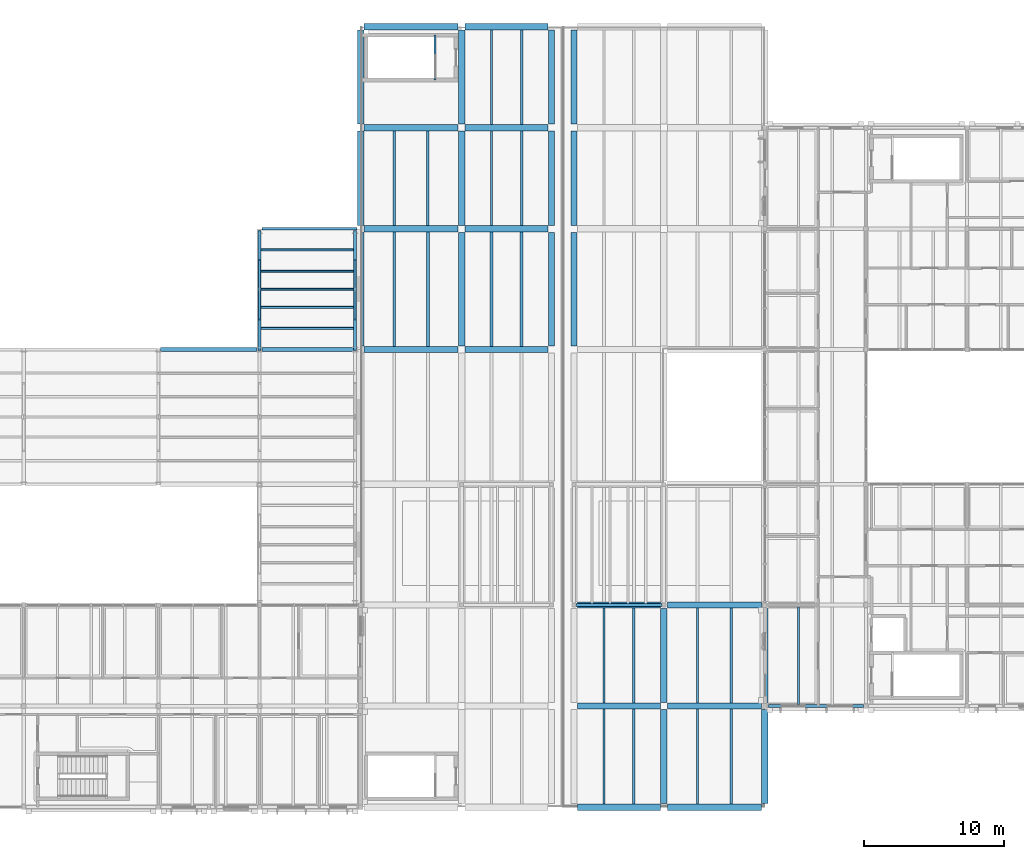
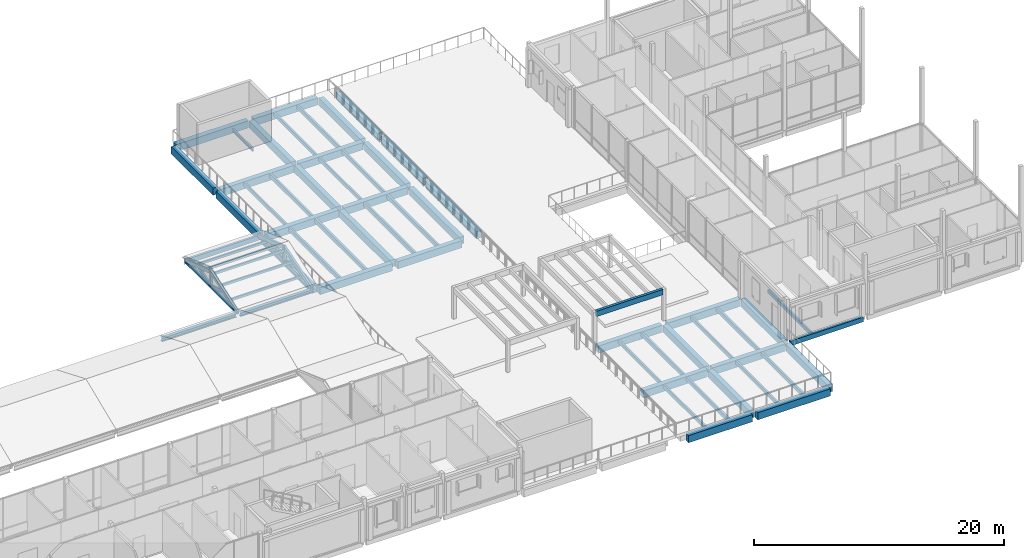
# One storey, part 47 of 115: 55 beams, 17 members.
"""IFC4 building model written with IfcOpenShell, lengths in metres."""

from ifc_helpers import new_model, si_unit, direction, frame, origin, origin_2d, place, context, subcontext, project, spatial, rectangle, i_section, extrude, material, material_profile, profile_set, type_object, element, save


model = new_model("IFC4")

# Units and contexts
model_context = context("Model", 3, precision=1e-05, world=origin(), true_north=direction((0.0, 1.0)))
body_context = subcontext(model_context, "Body", "Model", "MODEL_VIEW")
ifc_project = project(units=[si_unit("LENGTHUNIT", "METRE"), si_unit("AREAUNIT", "SQUARE_METRE"), si_unit("VOLUMEUNIT", "CUBIC_METRE"), si_unit("PLANEANGLEUNIT", "RADIAN"), si_unit("MASSUNIT", "GRAM", prefix="KILO")], contexts=[model_context])

# Site, building, storey
site_placement = place(None, origin())
site = spatial("IfcSite", under=ifc_project, at=site_placement, CompositionType="ELEMENT")
building_placement = place(site_placement, origin())
building = spatial("IfcBuilding", under=site, at=building_placement, Name="Hawrajan Terrace Health Centre", CompositionType="ELEMENT")
storey_placement = place(building_placement, frame((0.0, 0.0, 9.0)))
storey = spatial("IfcBuildingStorey", under=building, at=storey_placement, Name="L02", CompositionType="ELEMENT", Elevation=9.0)

# Beams
ifc_material_1 = material(Name="Glulam GL32h", Category="wood")
ifc_material_profile_1 = material_profile(ifc_material_1, rectangle(XDim=0.239990234375, YDim=0.52001953125, at=origin_2d()), Name="GL BM 240x520")
ifc_profile_set_1 = profile_set([ifc_material_profile_1], Name="Glulam GL32h")
beam_type_1 = type_object("IfcBeamType", Name="GlulamGirder_240x520", PredefinedType="BEAM", material=ifc_profile_set_1)
beam_1_placement = place(storey_placement, frame((130.340087890625, 18.60009765625, 2.840087890625), z_axis=(1.0, 0.0, 0.0), x_axis=(0.0, 1.0, 0.0)))
element("IfcBeam", 1, at=beam_1_placement, inside=storey, type_object=beam_type_1, Name="Therapy garden pergola girder EAST-S", PredefinedType="BEAM", context=body_context, shape_type="SweptSolid", body=[
    extrude(rectangle(XDim=0.239990234375, YDim=0.52001953125, at=origin_2d()), origin(), (0.0, 0.0, 1.0), 6.119873046875),
])
ifc_material_2 = material(Name="Glulam GL28h", Category="wood")
ifc_material_profile_2 = material_profile(ifc_material_2, rectangle(XDim=0.159912109375, YDim=0.360107421875, at=origin_2d()), Name="GL JST 160x360")
ifc_profile_set_2 = profile_set([ifc_material_profile_2], Name="Glulam GL28h")
beam_type_2 = type_object("IfcBeamType", Name="GlulamJoist_160x360", PredefinedType="JOIST", material=ifc_profile_set_2)
for number, where, z_axis, x_axis, name in (
    (2, (117.39990234375, 45.625, -0.4599609375), (0.0, 1.0, 0.0), (-1.0, 0.0, 0.0), "Secondary joist JST-L02-C-15-6-1"),
    (3, (124.333251953125, 45.625, -0.4599609375), (0.0, 1.0, 0.0), (-1.0, 0.0, 0.0), "Secondary joist JST-L02-C-16-6-1"),
    (4, (124.333251953125, 52.824951171875, -0.4599609375), (0.0, 1.0, 0.0), (-1.0, 0.0, 0.0), "Secondary joist JST-L02-C-16-7-1"),
    (5, (132.333251953125, 4.425048828125, -0.4599609375), (0.0, 1.0, 0.0), (-1.0, 0.0, 0.0), "Secondary joist JST-L02-E-17-1-1"),
    (6, (132.333251953125, 11.625, -0.4599609375), (0.0, 1.0, 0.0), (-1.0, 0.0, 0.0), "Secondary joist JST-L02-E-17-2-1"),
    (7, (139.0, 4.425048828125, -0.4599609375), (0.0, 1.0, 0.0), (-1.0, 0.0, 0.0), "Secondary joist JST-L02-E-18-1-1"),
    (8, (139.0, 11.625, -0.4599609375), (0.0, 1.0, 0.0), (-1.0, 0.0, 0.0), "Secondary joist JST-L02-E-18-2-1"),
):
    element("IfcBeam", number, at=place(storey_placement, frame(where, z_axis=z_axis, x_axis=x_axis)), inside=storey, type_object=beam_type_2, Name=name, PredefinedType="JOIST", context=body_context, shape_type="SweptSolid", body=[
        extrude(rectangle(XDim=0.159912109375, YDim=0.360107421875, at=origin_2d()), origin(), (0.0, 0.0, 1.0), 6.75),
    ])
beam_2_placement = place(storey_placement, frame((146.199951171875, 11.5, -0.4599609375), z_axis=(0.0, 1.0, 0.0), x_axis=(-1.0, 0.0, 0.0)))
element("IfcBeam", 9, at=beam_2_placement, inside=storey, type_object=beam_type_2, Name="Secondary joist JST-L02-E-19-2-1", PredefinedType="JOIST", context=body_context, shape_type="SweptSolid", body=[
    extrude(rectangle(XDim=0.159912109375, YDim=0.360107421875, at=origin_2d()), origin(), (0.0, 0.0, 1.0), 6.9599609375),
])
ifc_material_profile_3 = material_profile(ifc_material_2, rectangle(XDim=0.179931640625, YDim=0.39990234375, at=origin_2d()), Name="GL JST 180x400")
ifc_profile_set_3 = profile_set([ifc_material_profile_3], Name="Glulam GL28h")
beam_type_3 = type_object("IfcBeamType", Name="GlulamJoist_180x400", PredefinedType="JOIST", material=ifc_profile_set_3)
for number, where, z_axis, x_axis, name in (
    (10, (119.800048828125, 45.625, -0.47998046875), (0.0, 1.0, 0.0), (-1.0, 0.0, 0.0), "Secondary joist JST-L02-C-15-6-2"),
    (11, (126.466796875, 45.625, -0.47998046875), (0.0, 1.0, 0.0), (-1.0, 0.0, 0.0), "Secondary joist JST-L02-C-16-6-2"),
    (12, (126.466796875, 52.824951171875, -0.47998046875), (0.0, 1.0, 0.0), (-1.0, 0.0, 0.0), "Secondary joist JST-L02-C-16-7-2"),
    (13, (134.466796875, 4.425048828125, -0.47998046875), (0.0, 1.0, 0.0), (-1.0, 0.0, 0.0), "Secondary joist JST-L02-E-17-1-2"),
    (14, (134.466796875, 11.625, -0.47998046875), (0.0, 1.0, 0.0), (-1.0, 0.0, 0.0), "Secondary joist JST-L02-E-17-2-2"),
    (15, (141.39990234375, 4.425048828125, -0.47998046875), (0.0, 1.0, 0.0), (-1.0, 0.0, 0.0), "Secondary joist JST-L02-E-18-1-2"),
    (16, (141.39990234375, 11.625, -0.47998046875), (0.0, 1.0, 0.0), (-1.0, 0.0, 0.0), "Secondary joist JST-L02-E-18-2-2"),
):
    element("IfcBeam", number, at=place(storey_placement, frame(where, z_axis=z_axis, x_axis=x_axis)), inside=storey, type_object=beam_type_3, Name=name, PredefinedType="JOIST", context=body_context, shape_type="SweptSolid", body=[
        extrude(rectangle(XDim=0.179931640625, YDim=0.39990234375, at=origin_2d()), origin(), (0.0, 0.0, 1.0), 6.75),
    ])
ifc_material_profile_4 = material_profile(ifc_material_2, rectangle(XDim=0.199951171875, YDim=0.419921875, at=origin_2d()), Name="GL JST 200x420")
ifc_profile_set_4 = profile_set([ifc_material_profile_4], Name="Glulam GL28h")
beam_type_4 = type_object("IfcBeamType", Name="GlulamJoist_200x420", PredefinedType="JOIST", material=ifc_profile_set_4)
for number, where, z_axis, x_axis, name in (
    (17, (117.39990234375, 37.02490234375, -0.489990234375), (0.0, 1.0, 0.0), (-1.0, 0.0, 0.0), "Secondary joist JST-L02-C-15-5-1"),
    (18, (119.800048828125, 37.02490234375, -0.489990234375), (0.0, 1.0, 0.0), (-1.0, 0.0, 0.0), "Secondary joist JST-L02-C-15-5-2"),
    (19, (124.333251953125, 37.02490234375, -0.489990234375), (0.0, 1.0, 0.0), (-1.0, 0.0, 0.0), "Secondary joist JST-L02-C-16-5-1"),
    (20, (126.466796875, 37.02490234375, -0.489990234375), (0.0, 1.0, 0.0), (-1.0, 0.0, 0.0), "Secondary joist JST-L02-C-16-5-2"),
):
    element("IfcBeam", number, at=place(storey_placement, frame(where, z_axis=z_axis, x_axis=x_axis)), inside=storey, type_object=beam_type_4, Name=name, PredefinedType="JOIST", context=body_context, shape_type="SweptSolid", body=[
        extrude(rectangle(XDim=0.199951171875, YDim=0.419921875, at=origin_2d()), origin(), (0.0, 0.0, 1.0), 8.150146484375),
    ])
ifc_material_profile_5 = material_profile(ifc_material_1, rectangle(XDim=0.199951171875, YDim=0.4599609375, at=origin_2d()), Name="GL SP 200x460")
ifc_profile_set_5 = profile_set([ifc_material_profile_5], Name="Glulam GL32h")
beam_type_5 = type_object("IfcBeamType", Name="GlulamSpandrel_200x460", PredefinedType="SPANDREL", material=ifc_profile_set_5)
for number, where, z_axis, x_axis, name in (
    (21, (107.97998046875, 45.39990234375, -0.510009765625), (1.0, 0.0, 0.0), (0.0, 1.0, 0.0), "Beam BM-X-L02-C-14-Y6"),
    (22, (144.050048828125, 11.39990234375, -0.510009765625), (1.0, 0.0, 0.0), (0.0, 1.0, 0.0), "Beam BM-X-L02-E-19-Y2"),
):
    element("IfcBeam", number, at=place(storey_placement, frame(where, z_axis=z_axis, x_axis=x_axis)), inside=storey, type_object=beam_type_5, Name=name, PredefinedType="SPANDREL", context=body_context, shape_type="SweptSolid", body=[
        extrude(rectangle(XDim=0.199951171875, YDim=0.4599609375, at=origin_2d()), origin(), (0.0, 0.0, 1.0), 6.77001953125),
    ])
ifc_material_3 = material(Name="Concrete C40/50", Category="concrete")
ifc_material_profile_6 = material_profile(ifc_material_3, rectangle(XDim=0.449951171875, YDim=0.699951171875, at=origin_2d()), Name="RC BM 450x700")
ifc_profile_set_6 = profile_set([ifc_material_profile_6], Name="Concrete C40/50")
beam_type_6 = type_object("IfcBeamType", Name="RCGirder_450x700", PredefinedType="BEAM", material=ifc_profile_set_6)
for number, where, z_axis, x_axis, name in (
    (23, (115.25, 36.800048828125, -0.6298828125), (1.0, 0.0, 0.0), (0.0, 1.0, 0.0), "Beam BM-X-L02-C-15-Y5"),
    (24, (115.25, 45.39990234375, -0.6298828125), (1.0, 0.0, 0.0), (0.0, 1.0, 0.0), "Beam BM-X-L02-C-15-Y6"),
    (25, (115.25, 52.60009765625, -0.6298828125), (1.0, 0.0, 0.0), (0.0, 1.0, 0.0), "Beam BM-X-L02-C-15-Y7"),
    (26, (115.25, 59.800048828125, -0.6298828125), (1.0, 0.0, 0.0), (0.0, 1.0, 0.0), "Beam BM-X-L02-C-15-Y8"),
):
    element("IfcBeam", number, at=place(storey_placement, frame(where, z_axis=z_axis, x_axis=x_axis)), inside=storey, type_object=beam_type_6, Name=name, PredefinedType="BEAM", context=body_context, shape_type="SweptSolid", body=[
        extrude(rectangle(XDim=0.449951171875, YDim=0.699951171875, at=origin_2d()), origin(), (0.0, 0.0, 1.0), 6.699951171875),
    ])
for number, where, z_axis, x_axis, name in (
    (27, (122.449951171875, 36.800048828125, -0.6298828125), (1.0, 0.0, 0.0), (0.0, 1.0, 0.0), "Beam BM-X-L02-C-16-Y5"),
    (28, (122.449951171875, 45.39990234375, -0.6298828125), (1.0, 0.0, 0.0), (0.0, 1.0, 0.0), "Beam BM-X-L02-C-16-Y6"),
    (29, (122.449951171875, 52.60009765625, -0.6298828125), (1.0, 0.0, 0.0), (0.0, 1.0, 0.0), "Beam BM-X-L02-C-16-Y7"),
    (30, (122.449951171875, 59.800048828125, -0.6298828125), (1.0, 0.0, 0.0), (0.0, 1.0, 0.0), "Beam BM-X-L02-C-16-Y8"),
):
    element("IfcBeam", number, at=place(storey_placement, frame(where, z_axis=z_axis, x_axis=x_axis)), inside=storey, type_object=beam_type_6, Name=name, PredefinedType="BEAM", context=body_context, shape_type="SweptSolid", body=[
        extrude(rectangle(XDim=0.449951171875, YDim=0.699951171875, at=origin_2d()), origin(), (0.0, 0.0, 1.0), 5.900146484375),
    ])
beam_3_placement = place(storey_placement, frame((115.0, 37.050048828125, -0.6298828125), z_axis=(0.0, 1.0, 0.0), x_axis=(-1.0, 0.0, 0.0)))
element("IfcBeam", 31, at=beam_3_placement, inside=storey, type_object=beam_type_6, Name="Beam BM-Y-L02-C-X15-5", PredefinedType="BEAM", context=body_context, shape_type="SweptSolid", body=[
    extrude(rectangle(XDim=0.449951171875, YDim=0.699951171875, at=origin_2d()), origin(), (0.0, 0.0, 1.0), 8.099853515625),
])
beam_4_placement = place(storey_placement, frame((115.0, 45.64990234375, -0.6298828125), z_axis=(0.0, 1.0, 0.0), x_axis=(-1.0, 0.0, 0.0)))
element("IfcBeam", 32, at=beam_4_placement, inside=storey, type_object=beam_type_6, Name="Beam BM-Y-L02-C-X15-6", PredefinedType="BEAM", context=body_context, shape_type="SweptSolid", body=[
    extrude(rectangle(XDim=0.449951171875, YDim=0.699951171875, at=origin_2d()), origin(), (0.0, 0.0, 1.0), 6.7001953125),
])
beam_5_placement = place(storey_placement, frame((115.0, 52.85009765625, -0.6298828125), z_axis=(0.0, 1.0, 0.0), x_axis=(-1.0, 0.0, 0.0)))
element("IfcBeam", 33, at=beam_5_placement, inside=storey, type_object=beam_type_6, Name="Beam BM-Y-L02-C-X15-7", PredefinedType="BEAM", context=body_context, shape_type="SweptSolid", body=[
    extrude(rectangle(XDim=0.449951171875, YDim=0.699951171875, at=origin_2d()), origin(), (0.0, 0.0, 1.0), 6.699951171875),
])
beam_6_placement = place(storey_placement, frame((122.199951171875, 37.050048828125, -0.6298828125), z_axis=(0.0, 1.0, 0.0), x_axis=(-1.0, 0.0, 0.0)))
element("IfcBeam", 34, at=beam_6_placement, inside=storey, type_object=beam_type_6, Name="Beam BM-Y-L02-C-X16-5", PredefinedType="BEAM", context=body_context, shape_type="SweptSolid", body=[
    extrude(rectangle(XDim=0.449951171875, YDim=0.699951171875, at=origin_2d()), origin(), (0.0, 0.0, 1.0), 8.099853515625),
])
beam_7_placement = place(storey_placement, frame((122.199951171875, 45.64990234375, -0.6298828125), z_axis=(0.0, 1.0, 0.0), x_axis=(-1.0, 0.0, 0.0)))
element("IfcBeam", 35, at=beam_7_placement, inside=storey, type_object=beam_type_6, Name="Beam BM-Y-L02-C-X16-6", PredefinedType="BEAM", context=body_context, shape_type="SweptSolid", body=[
    extrude(rectangle(XDim=0.449951171875, YDim=0.699951171875, at=origin_2d()), origin(), (0.0, 0.0, 1.0), 6.7001953125),
])
beam_8_placement = place(storey_placement, frame((122.199951171875, 52.85009765625, -0.6298828125), z_axis=(0.0, 1.0, 0.0), x_axis=(-1.0, 0.0, 0.0)))
element("IfcBeam", 36, at=beam_8_placement, inside=storey, type_object=beam_type_6, Name="Beam BM-Y-L02-C-X16-7", PredefinedType="BEAM", context=body_context, shape_type="SweptSolid", body=[
    extrude(rectangle(XDim=0.449951171875, YDim=0.699951171875, at=origin_2d()), origin(), (0.0, 0.0, 1.0), 6.699951171875),
])
beam_9_placement = place(storey_placement, frame((128.60009765625, 37.050048828125, -0.6298828125), z_axis=(0.0, 1.0, 0.0), x_axis=(-1.0, 0.0, 0.0)))
element("IfcBeam", 37, at=beam_9_placement, inside=storey, type_object=beam_type_6, Name="Beam BM-Y-L02-C-X17-5", PredefinedType="BEAM", context=body_context, shape_type="SweptSolid", body=[
    extrude(rectangle(XDim=0.449951171875, YDim=0.699951171875, at=origin_2d()), origin(), (0.0, 0.0, 1.0), 8.099853515625),
])
beam_10_placement = place(storey_placement, frame((128.60009765625, 45.64990234375, -0.6298828125), z_axis=(0.0, 1.0, 0.0), x_axis=(-1.0, 0.0, 0.0)))
element("IfcBeam", 38, at=beam_10_placement, inside=storey, type_object=beam_type_6, Name="Beam BM-Y-L02-C-X17-6", PredefinedType="BEAM", context=body_context, shape_type="SweptSolid", body=[
    extrude(rectangle(XDim=0.449951171875, YDim=0.699951171875, at=origin_2d()), origin(), (0.0, 0.0, 1.0), 6.7001953125),
])
beam_11_placement = place(storey_placement, frame((128.60009765625, 52.85009765625, -0.6298828125), z_axis=(0.0, 1.0, 0.0), x_axis=(-1.0, 0.0, 0.0)))
element("IfcBeam", 39, at=beam_11_placement, inside=storey, type_object=beam_type_6, Name="Beam BM-Y-L02-C-X17-7", PredefinedType="BEAM", context=body_context, shape_type="SweptSolid", body=[
    extrude(rectangle(XDim=0.449951171875, YDim=0.699951171875, at=origin_2d()), origin(), (0.0, 0.0, 1.0), 6.699951171875),
])
for number, where, z_axis, x_axis, name in (
    (40, (130.449951171875, 4.199951171875, -0.6298828125), (1.0, 0.0, 0.0), (0.0, 1.0, 0.0), "Beam BM-X-L02-E-17-Y1"),
    (41, (130.449951171875, 11.39990234375, -0.6298828125), (1.0, 0.0, 0.0), (0.0, 1.0, 0.0), "Beam BM-X-L02-E-17-Y2"),
    (42, (130.449951171875, 18.60009765625, -0.6298828125), (1.0, 0.0, 0.0), (0.0, 1.0, 0.0), "Beam BM-X-L02-E-17-Y3"),
):
    element("IfcBeam", number, at=place(storey_placement, frame(where, z_axis=z_axis, x_axis=x_axis)), inside=storey, type_object=beam_type_6, Name=name, PredefinedType="BEAM", context=body_context, shape_type="SweptSolid", body=[
        extrude(rectangle(XDim=0.449951171875, YDim=0.699951171875, at=origin_2d()), origin(), (0.0, 0.0, 1.0), 5.900146484375),
    ])
for number, where, z_axis, x_axis, name in (
    (43, (136.85009765625, 4.199951171875, -0.6298828125), (1.0, 0.0, 0.0), (0.0, 1.0, 0.0), "Beam BM-X-L02-E-18-Y1"),
    (44, (136.85009765625, 11.39990234375, -0.6298828125), (1.0, 0.0, 0.0), (0.0, 1.0, 0.0), "Beam BM-X-L02-E-18-Y2"),
    (45, (136.85009765625, 18.60009765625, -0.6298828125), (1.0, 0.0, 0.0), (0.0, 1.0, 0.0), "Beam BM-X-L02-E-18-Y3"),
):
    element("IfcBeam", number, at=place(storey_placement, frame(where, z_axis=z_axis, x_axis=x_axis)), inside=storey, type_object=beam_type_6, Name=name, PredefinedType="BEAM", context=body_context, shape_type="SweptSolid", body=[
        extrude(rectangle(XDim=0.449951171875, YDim=0.699951171875, at=origin_2d()), origin(), (0.0, 0.0, 1.0), 6.699951171875),
    ])
beam_12_placement = place(storey_placement, frame((130.199951171875, 37.050048828125, -0.6298828125), z_axis=(0.0, 1.0, 0.0), x_axis=(-1.0, 0.0, 0.0)))
element("IfcBeam", 46, at=beam_12_placement, inside=storey, type_object=beam_type_6, Name="Beam BM-Y-L02-E-X17-5", PredefinedType="BEAM", context=body_context, shape_type="SweptSolid", body=[
    extrude(rectangle(XDim=0.449951171875, YDim=0.699951171875, at=origin_2d()), origin(), (0.0, 0.0, 1.0), 8.099853515625),
])
beam_13_placement = place(storey_placement, frame((130.199951171875, 45.64990234375, -0.6298828125), z_axis=(0.0, 1.0, 0.0), x_axis=(-1.0, 0.0, 0.0)))
element("IfcBeam", 47, at=beam_13_placement, inside=storey, type_object=beam_type_6, Name="Beam BM-Y-L02-E-X17-6", PredefinedType="BEAM", context=body_context, shape_type="SweptSolid", body=[
    extrude(rectangle(XDim=0.449951171875, YDim=0.699951171875, at=origin_2d()), origin(), (0.0, 0.0, 1.0), 6.7001953125),
])
for number, where, z_axis, x_axis, name in (
    (48, (130.199951171875, 52.85009765625, -0.6298828125), (0.0, 1.0, 0.0), (-1.0, 0.0, 0.0), "Beam BM-Y-L02-E-X17-7"),
    (49, (136.60009765625, 4.449951171875, -0.6298828125), (0.0, 1.0, 0.0), (-1.0, 0.0, 0.0), "Beam BM-Y-L02-E-X18-1"),
):
    element("IfcBeam", number, at=place(storey_placement, frame(where, z_axis=z_axis, x_axis=x_axis)), inside=storey, type_object=beam_type_6, Name=name, PredefinedType="BEAM", context=body_context, shape_type="SweptSolid", body=[
        extrude(rectangle(XDim=0.449951171875, YDim=0.699951171875, at=origin_2d()), origin(), (0.0, 0.0, 1.0), 6.699951171875),
    ])
beam_14_placement = place(storey_placement, frame((136.60009765625, 11.64990234375, -0.6298828125), z_axis=(0.0, 1.0, 0.0), x_axis=(-1.0, 0.0, 0.0)))
element("IfcBeam", 50, at=beam_14_placement, inside=storey, type_object=beam_type_6, Name="Beam BM-Y-L02-E-X18-2", PredefinedType="BEAM", context=body_context, shape_type="SweptSolid", body=[
    extrude(rectangle(XDim=0.449951171875, YDim=0.699951171875, at=origin_2d()), origin(), (0.0, 0.0, 1.0), 6.7001953125),
])
beam_15_placement = place(storey_placement, frame((143.800048828125, 4.449951171875, -0.6298828125), z_axis=(0.0, 1.0, 0.0), x_axis=(-1.0, 0.0, 0.0)))
element("IfcBeam", 51, at=beam_15_placement, inside=storey, type_object=beam_type_6, Name="Beam BM-Y-L02-E-X19-1", PredefinedType="BEAM", context=body_context, shape_type="SweptSolid", body=[
    extrude(rectangle(XDim=0.449951171875, YDim=0.699951171875, at=origin_2d()), origin(), (0.0, 0.0, 1.0), 6.699951171875),
])
beam_16_placement = place(storey_placement, frame((143.800048828125, 11.64990234375, -0.6298828125), z_axis=(0.0, 1.0, 0.0), x_axis=(-1.0, 0.0, 0.0)))
element("IfcBeam", 52, at=beam_16_placement, inside=storey, type_object=beam_type_6, Name="Beam BM-Y-L02-E-X19-2", PredefinedType="BEAM", context=body_context, shape_type="SweptSolid", body=[
    extrude(rectangle(XDim=0.449951171875, YDim=0.699951171875, at=origin_2d()), origin(), (0.0, 0.0, 1.0), 6.7001953125),
])

# Members
ifc_material_profile_7 = material_profile(ifc_material_2, rectangle(XDim=0.139892578125, YDim=0.239990234375, at=origin_2d()), Name="GL PUR 140x240")
ifc_profile_set_7 = profile_set([ifc_material_profile_7], Name="Glulam GL28h")
member_type_1 = type_object("IfcMemberType", Name="RoofPurlin_140x240", PredefinedType="PURLIN", material=ifc_profile_set_7)
for number, where, z_axis, x_axis, name in (
    (53, (107.800048828125, 38.304931640625, 0.042236328125), (1.0, 0.0, 0.0), (0.0, 1.0, 0.0), "Tent roof purlin 14-TRS-NC-S1"),
    (54, (107.800048828125, 43.89501953125, 0.042236328125), (1.0, 0.0, 0.0), (0.0, 1.0, 0.0), "Tent roof purlin 14-TRS-NC-N1"),
    (55, (107.800048828125, 39.81005859375, 0.524658203125), (1.0, 0.0, 0.0), (0.0, 1.0, 0.0), "Tent roof purlin 14-TRS-NC-S2"),
    (56, (107.800048828125, 42.389892578125, 0.524658203125), (1.0, 0.0, 0.0), (0.0, 1.0, 0.0), "Tent roof purlin 14-TRS-NC-N2"),
    (57, (107.800048828125, 41.10009765625, 0.8779296875), (1.0, 0.0, 0.0), (0.0, 1.0, 0.0), "Tent ridge purlin 14-TRS-NC"),
):
    element("IfcMember", number, at=place(storey_placement, frame(where, z_axis=z_axis, x_axis=x_axis)), inside=storey, type_object=member_type_1, Name=name, PredefinedType="PURLIN", context=body_context, shape_type="SweptSolid", body=[
        extrude(rectangle(XDim=0.139892578125, YDim=0.239990234375, at=origin_2d()), origin(), (0.0, 0.0, 1.0), 6.800048828125),
    ])

# Beams
ifc_material_4 = material(Name="Steel S355", Category="steel")
ifc_material_profile_8 = material_profile(ifc_material_4, i_section(OverallWidth=0.300048828125, OverallDepth=0.35009765625, WebThickness=0.010009765625, FlangeThickness=0.017578125, FilletRadius=0.027099609375, at=origin_2d()), Name="HEA 360")
ifc_profile_set_8 = profile_set([ifc_material_profile_8], Name="Steel S355")
beam_type_7 = type_object("IfcBeamType", Name="SteelBeam_HEA360", PredefinedType="BEAM", material=ifc_profile_set_8)
beam_17_placement = place(storey_placement, frame((100.75, 36.800048828125, -0.375), z_axis=(1.0, 0.0, 0.0), x_axis=(0.0, 1.0, 0.0)))
element("IfcBeam", 58, at=beam_17_placement, inside=storey, type_object=beam_type_7, Name="Beam BM-X-L02-C-13-Y5", PredefinedType="BEAM", context=body_context, shape_type="SweptSolid", body=[
    extrude(i_section(OverallWidth=0.300048828125, OverallDepth=0.35009765625, WebThickness=0.010009765625, FlangeThickness=0.017578125, FilletRadius=0.027099609375, at=origin_2d()), origin(), (0.0, 0.0, 1.0), 6.8701171875),
])
beam_18_placement = place(storey_placement, frame((107.97998046875, 36.800048828125, -0.455078125), z_axis=(1.0, 0.0, 0.0), x_axis=(0.0, 1.0, 0.0)))
element("IfcBeam", 59, at=beam_18_placement, inside=storey, type_object=beam_type_7, Name="Beam BM-X-L02-C-14-Y5", PredefinedType="BEAM", context=body_context, shape_type="SweptSolid", body=[
    extrude(i_section(OverallWidth=0.300048828125, OverallDepth=0.35009765625, WebThickness=0.010009765625, FlangeThickness=0.017578125, FilletRadius=0.027099609375, at=origin_2d()), origin(), (0.0, 0.0, 1.0), 6.77001953125),
])
ifc_material_profile_9 = material_profile(ifc_material_4, i_section(OverallWidth=0.14990234375, OverallDepth=0.300048828125, WebThickness=0.007080078125, FlangeThickness=0.0107421875, FilletRadius=0.014892578125, at=origin_2d()), Name="IPE 300")
ifc_profile_set_9 = profile_set([ifc_material_profile_9], Name="Steel S355")
beam_type_8 = type_object("IfcBeamType", Name="SteelBeam_IPE300", PredefinedType="JOIST", material=ifc_profile_set_9)
beam_19_placement = place(storey_placement, frame((120.300048828125, 56.0, -0.3701171875), z_axis=(0.0, 1.0, 0.0), x_axis=(-1.0, 0.0, 0.0)))
element("IfcBeam", 60, at=beam_19_placement, inside=storey, type_object=beam_type_8, Name="Stair top trimmer ST-7", PredefinedType="JOIST", context=body_context, shape_type="SweptSolid", body=[
    extrude(i_section(OverallWidth=0.14990234375, OverallDepth=0.300048828125, WebThickness=0.007080078125, FlangeThickness=0.0107421875, FilletRadius=0.014892578125, at=origin_2d()), origin(), (0.0, 0.0, 1.0), 3.199951171875),
])

# Members
ifc_material_profile_10 = material_profile(ifc_material_1, rectangle(XDim=0.199951171875, YDim=0.340087890625, at=origin_2d()), Name="GL CHD 200x340")
ifc_profile_set_10 = profile_set([ifc_material_profile_10], Name="Glulam GL32h")
member_type_2 = type_object("IfcMemberType", Name="TrussChord_200x340", PredefinedType="CHORD", material=ifc_profile_set_10)
member_1_placement = place(storey_placement, frame((107.800048828125, 36.800048828125, -0.219970703125), z_axis=(0.0, 1.0, 0.0), x_axis=(-1.0, 0.0, 0.0)))
element("IfcMember", 61, at=member_1_placement, inside=storey, type_object=member_type_2, Name="Glulam truss tie chord C-G14-TRS-NC", PredefinedType="CHORD", context=body_context, shape_type="SweptSolid", body=[
    extrude(rectangle(XDim=0.199951171875, YDim=0.340087890625, at=origin_2d()), origin(), (0.0, 0.0, 1.0), 8.43994140625),
])
member_2_placement = place(storey_placement, frame((107.800048828125, 36.800048828125, -0.219970703125), z_axis=(0.0, 0.952301023508, 0.305160221239), x_axis=(-1.0, 0.0, 0.0)))
element("IfcMember", 62, at=member_2_placement, inside=storey, type_object=member_type_2, Name="Glulam truss south top chord C-G14-TRS-NC", PredefinedType="CHORD", context=body_context, shape_type="SweptSolid", body=[
    extrude(rectangle(XDim=0.199951171875, YDim=0.340087890625, at=origin_2d()), origin(), (0.0, 0.0, 1.0), 4.515380859375),
])
member_3_placement = place(storey_placement, frame((107.800048828125, 41.10009765625, 1.157958984375), z_axis=(0.0, 0.948823091869, -0.315808075161), x_axis=(-1.0, 0.0, 0.0)))
element("IfcMember", 63, at=member_3_placement, inside=storey, type_object=member_type_2, Name="Glulam truss north top chord C-G14-TRS-NC", PredefinedType="CHORD", context=body_context, shape_type="SweptSolid", body=[
    extrude(rectangle(XDim=0.199951171875, YDim=0.340087890625, at=origin_2d()), origin(), (0.0, 0.0, 1.0), 4.36328125),
])
member_4_placement = place(storey_placement, frame((114.60009765625, 36.800048828125, -0.219970703125), z_axis=(0.0, 1.0, 0.0), x_axis=(-1.0, 0.0, 0.0)))
element("IfcMember", 64, at=member_4_placement, inside=storey, type_object=member_type_2, Name="Glulam truss tie chord C-G15-TRS-NC", PredefinedType="CHORD", context=body_context, shape_type="SweptSolid", body=[
    extrude(rectangle(XDim=0.199951171875, YDim=0.340087890625, at=origin_2d()), origin(), (0.0, 0.0, 1.0), 8.43994140625),
])
member_5_placement = place(storey_placement, frame((114.60009765625, 36.800048828125, -0.219970703125), z_axis=(0.0, 0.952301023508, 0.305160221239), x_axis=(-1.0, 0.0, 0.0)))
element("IfcMember", 65, at=member_5_placement, inside=storey, type_object=member_type_2, Name="Glulam truss south top chord C-G15-TRS-NC", PredefinedType="CHORD", context=body_context, shape_type="SweptSolid", body=[
    extrude(rectangle(XDim=0.199951171875, YDim=0.340087890625, at=origin_2d()), origin(), (0.0, 0.0, 1.0), 4.515380859375),
])
member_6_placement = place(storey_placement, frame((114.60009765625, 41.10009765625, 1.157958984375), z_axis=(0.0, 0.948823091869, -0.315808075161), x_axis=(-1.0, 0.0, 0.0)))
element("IfcMember", 66, at=member_6_placement, inside=storey, type_object=member_type_2, Name="Glulam truss north top chord C-G15-TRS-NC", PredefinedType="CHORD", context=body_context, shape_type="SweptSolid", body=[
    extrude(rectangle(XDim=0.199951171875, YDim=0.340087890625, at=origin_2d()), origin(), (0.0, 0.0, 1.0), 4.36328125),
])
ifc_material_profile_11 = material_profile(ifc_material_2, rectangle(XDim=0.239990234375, YDim=0.239990234375, at=origin_2d()), Name="GL KP 240x240")
ifc_profile_set_11 = profile_set([ifc_material_profile_11], Name="Glulam GL28h")
member_type_3 = type_object("IfcMemberType", Name="TrussKingPost_240x240", PredefinedType="STRUT", material=ifc_profile_set_11)
for number, where, z_axis, x_axis, name in (
    (67, (107.800048828125, 41.10009765625, -0.219970703125), (0.0, 0.0, 1.0), (1.0, 0.0, 0.0), "Glulam truss king post C-G14-TRS-NC"),
    (68, (114.60009765625, 41.10009765625, -0.219970703125), (0.0, 0.0, 1.0), (1.0, 0.0, 0.0), "Glulam truss king post C-G15-TRS-NC"),
):
    element("IfcMember", number, at=place(storey_placement, frame(where, z_axis=z_axis, x_axis=x_axis)), inside=storey, type_object=member_type_3, Name=name, PredefinedType="STRUT", context=body_context, shape_type="SweptSolid", body=[
        extrude(rectangle(XDim=0.239990234375, YDim=0.239990234375, at=origin_2d()), origin(), (0.0, 0.0, 1.0), 1.3779296875),
    ])
ifc_material_profile_12 = material_profile(ifc_material_2, rectangle(XDim=0.159912109375, YDim=0.239990234375, at=origin_2d()), Name="GL WEB 160x240")
ifc_profile_set_12 = profile_set([ifc_material_profile_12], Name="Glulam GL28h")
member_type_4 = type_object("IfcMemberType", Name="TrussStrut_160x240", PredefinedType="STRUT", material=ifc_profile_set_12)
member_7_placement = place(storey_placement, frame((107.800048828125, 41.10009765625, -0.219970703125), z_axis=(0.0, -0.952306058087, 0.305144509586), x_axis=(1.0, 0.0, 0.0)))
element("IfcMember", 69, at=member_7_placement, inside=storey, type_object=member_type_4, Name="Glulam truss web strut S C-G14-TRS-NC", PredefinedType="STRUT", context=body_context, shape_type="SweptSolid", body=[
    extrude(rectangle(XDim=0.159912109375, YDim=0.239990234375, at=origin_2d()), origin(), (0.0, 0.0, 1.0), 2.2578125),
])
member_8_placement = place(storey_placement, frame((107.800048828125, 41.10009765625, -0.219970703125), z_axis=(0.0, 0.948817510801, 0.31582484259), x_axis=(-1.0, 0.0, 0.0)))
element("IfcMember", 70, at=member_8_placement, inside=storey, type_object=member_type_4, Name="Glulam truss web strut N C-G14-TRS-NC", PredefinedType="STRUT", context=body_context, shape_type="SweptSolid", body=[
    extrude(rectangle(XDim=0.159912109375, YDim=0.239990234375, at=origin_2d()), origin(), (0.0, 0.0, 1.0), 2.181396484375),
])
member_9_placement = place(storey_placement, frame((114.60009765625, 41.10009765625, -0.219970703125), z_axis=(0.0, -0.952306058087, 0.305144509586), x_axis=(1.0, 0.0, 0.0)))
element("IfcMember", 71, at=member_9_placement, inside=storey, type_object=member_type_4, Name="Glulam truss web strut S C-G15-TRS-NC", PredefinedType="STRUT", context=body_context, shape_type="SweptSolid", body=[
    extrude(rectangle(XDim=0.159912109375, YDim=0.239990234375, at=origin_2d()), origin(), (0.0, 0.0, 1.0), 2.2578125),
])
member_10_placement = place(storey_placement, frame((114.60009765625, 41.10009765625, -0.219970703125), z_axis=(0.0, 0.948817510801, 0.31582484259), x_axis=(-1.0, 0.0, 0.0)))
element("IfcMember", 72, at=member_10_placement, inside=storey, type_object=member_type_4, Name="Glulam truss web strut N C-G15-TRS-NC", PredefinedType="STRUT", context=body_context, shape_type="SweptSolid", body=[
    extrude(rectangle(XDim=0.159912109375, YDim=0.239990234375, at=origin_2d()), origin(), (0.0, 0.0, 1.0), 2.181396484375),
])

save(model, "model.ifc")
